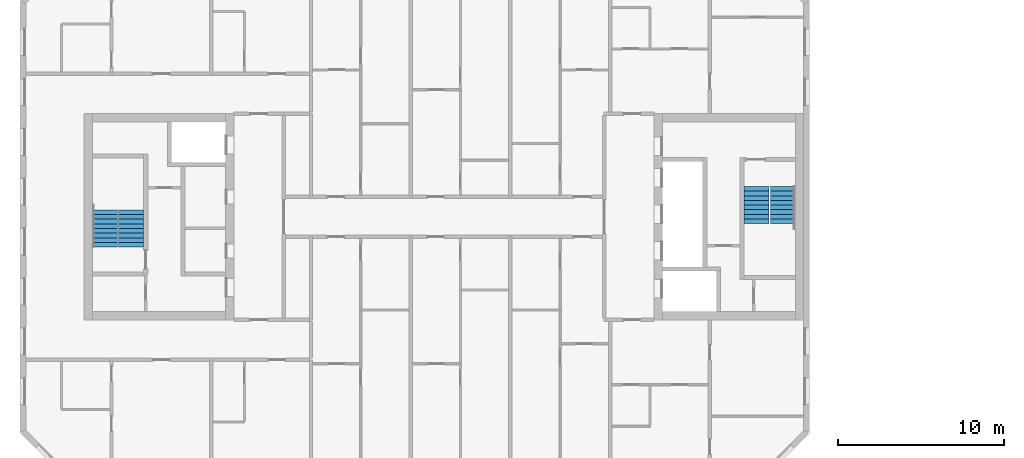
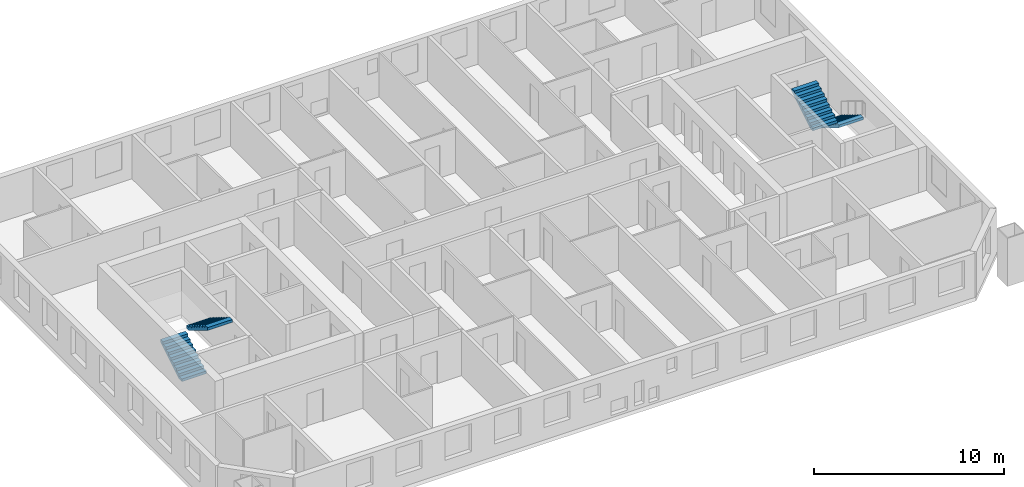
# One storey, part 14 of 15: 4 stair flights, 2 elements without a shape of their own.
"""IFC4 building model written with IfcOpenShell, lengths in metres."""

from ifc_helpers import new_model, si_unit, direction, frame, origin, place, context, subcontext, project, spatial, faceted_brep, material, type_object, element, aggregate, save


model = new_model("IFC4")

# Units and contexts
model_context = context("Model", 3, precision=1e-05, world=origin(), true_north=direction((0.0, 1.0)))
body_context = subcontext(model_context, "Body", "Model", "MODEL_VIEW")
ifc_project = project(units=[si_unit("LENGTHUNIT", "METRE"), si_unit("AREAUNIT", "SQUARE_METRE"), si_unit("VOLUMEUNIT", "CUBIC_METRE"), si_unit("PLANEANGLEUNIT", "RADIAN"), si_unit("MASSUNIT", "GRAM", prefix="KILO")], contexts=[model_context])

# Site, building, storey
site_placement = place(None, origin())
site = spatial("IfcSite", under=ifc_project, at=site_placement, CompositionType="ELEMENT")
building_placement = place(site_placement, origin())
building = spatial("IfcBuilding", under=site, at=building_placement, Name="Tuart Gate Housing", CompositionType="ELEMENT")
storey_placement = place(building_placement, frame((0.0, 0.0, 164.0)))
storey = spatial("IfcBuildingStorey", under=building, at=storey_placement, Name="L46", CompositionType="ELEMENT", Elevation=164.0)

# Stair, stair flights
ifc_material_1 = material(Name="Concrete C40", Category="concrete")
stair_type = type_object("IfcStairType", Name="Core stair 1500", PredefinedType="HALF_TURN_STAIR", material=ifc_material_1)
stair_1_placement = place(storey_placement, origin())
stair_1 = element("IfcStair", 1, at=stair_1_placement, inside=storey, type_object=stair_type, Name="Stair SA1", PredefinedType="HALF_TURN_STAIR")
ifc_material_2 = material(Name="Concrete C40", Category="concrete")
stair_flight_type = type_object("IfcStairFlightType", Name="Stair flight 1500, 9 risers 172 x 280", PredefinedType="STRAIGHT", material=ifc_material_2)
stair_flight_1_placement = place(storey_placement, frame((74.389892578125, 71.824951171875, 0.0), z_axis=(0.0, 0.0, 1.0), x_axis=(0.0, -1.0, 0.0)))
stair_flight_1 = element("IfcStairFlight", 2, at=stair_flight_1_placement, type_object=stair_flight_type, Name="SA1 flight 1", NumberOfRisers=9, NumberOfTreads=8, PredefinedType="STRAIGHT", RiserHeight=0.172222222, TreadLength=0.28, context=body_context, shape_type="Brep", body=[
    faceted_brep([(0.0, 0.75, 0.0), (0.0, 0.75, 0.172119140625), (0.280029296875, 0.75, 0.172119140625), (0.280029296875, 0.75, 0.344482421875), (0.56005859375, 0.75, 0.344482421875), (0.56005859375, 0.75, 0.5166015625), (0.840087890625, 0.75, 0.5166015625), (0.840087890625, 0.75, 0.68896484375), (1.1201171875, 0.75, 0.68896484375), (1.1201171875, 0.75, 0.861083984375), (1.39990234375, 0.75, 0.861083984375), (1.39990234375, 0.75, 1.033447265625), (1.679931640625, 0.75, 1.033447265625), (1.679931640625, 0.75, 1.20556640625), (1.9599609375, 0.75, 1.20556640625), (1.9599609375, 0.75, 1.377685546875), (2.239990234375, 0.75, 1.377685546875), (2.239990234375, 0.75, 1.201904296875), (0.2861328125, 0.75, 0.0), (0.2861328125, -0.75, 0.0), (2.239990234375, -0.75, 1.201904296875), (2.239990234375, -0.75, 1.377685546875), (1.9599609375, -0.75, 1.377685546875), (1.9599609375, -0.75, 1.20556640625), (1.679931640625, -0.75, 1.20556640625), (1.679931640625, -0.75, 1.033447265625), (1.39990234375, -0.75, 1.033447265625), (1.39990234375, -0.75, 0.861083984375), (1.1201171875, -0.75, 0.861083984375), (1.1201171875, -0.75, 0.68896484375), (0.840087890625, -0.75, 0.68896484375), (0.840087890625, -0.75, 0.5166015625), (0.56005859375, -0.75, 0.5166015625), (0.56005859375, -0.75, 0.344482421875), (0.280029296875, -0.75, 0.344482421875), (0.280029296875, -0.75, 0.172119140625), (0.0, -0.75, 0.172119140625), (0.0, -0.75, 0.0), (2.239990234375, 0.0, 1.201904296875), (0.2861328125, 0.0, 0.0), (2.239990234375, 0.0, 1.377685546875), (1.9599609375, 0.0, 1.377685546875), (1.9599609375, 0.0, 1.20556640625), (1.679931640625, 0.0, 1.20556640625), (1.679931640625, 0.0, 1.033447265625), (1.39990234375, 0.0, 1.033447265625), (1.39990234375, 0.0, 0.861083984375), (1.1201171875, 0.0, 0.861083984375), (1.1201171875, 0.0, 0.68896484375), (0.840087890625, 0.0, 0.68896484375), (0.840087890625, 0.0, 0.5166015625), (0.56005859375, 0.0, 0.5166015625), (0.56005859375, 0.0, 0.344482421875), (0.280029296875, 0.0, 0.344482421875), (0.280029296875, 0.0, 0.172119140625), (0.0, 0.0, 0.172119140625), (0.0, 0.0, 0.0)], [[[0, 1, 2, 3, 4, 5, 6, 7, 8, 9, 10, 11, 12, 13, 14, 15, 16, 17, 18]], [[19, 20, 21, 22, 23, 24, 25, 26, 27, 28, 29, 30, 31, 32, 33, 34, 35, 36, 37]], [[18, 17, 38, 39]], [[39, 38, 20, 19]], [[17, 16, 40, 38]], [[38, 40, 21, 20]], [[16, 15, 41, 40]], [[40, 41, 22, 21]], [[15, 14, 42, 41]], [[41, 42, 23, 22]], [[14, 13, 43, 42]], [[42, 43, 24, 23]], [[13, 12, 44, 43]], [[43, 44, 25, 24]], [[12, 11, 45, 44]], [[44, 45, 26, 25]], [[11, 10, 46, 45]], [[45, 46, 27, 26]], [[10, 9, 47, 46]], [[46, 47, 28, 27]], [[9, 8, 48, 47]], [[47, 48, 29, 28]], [[8, 7, 49, 48]], [[48, 49, 30, 29]], [[7, 6, 50, 49]], [[49, 50, 31, 30]], [[6, 5, 51, 50]], [[50, 51, 32, 31]], [[5, 4, 52, 51]], [[51, 52, 33, 32]], [[4, 3, 53, 52]], [[52, 53, 34, 33]], [[3, 2, 54, 53]], [[53, 54, 35, 34]], [[2, 1, 55, 54]], [[54, 55, 36, 35]], [[1, 0, 56, 55]], [[55, 56, 37, 36]], [[0, 18, 39, 56]], [[56, 39, 19, 37]]]),
])
stair_flight_2_placement = place(storey_placement, frame((72.81494140625, 69.5849609375, 1.550048828125), z_axis=(0.0, 0.0, 1.0), x_axis=(0.0, 1.0, 0.0)))
stair_flight_2 = element("IfcStairFlight", 3, at=stair_flight_2_placement, type_object=stair_flight_type, Name="SA1 flight 2", NumberOfRisers=9, NumberOfTreads=8, PredefinedType="STRAIGHT", RiserHeight=0.172222222, TreadLength=0.28, context=body_context, shape_type="Brep", body=[
    faceted_brep([(0.0, 0.75, 0.0), (0.0, 0.75, 0.172119140625), (0.280029296875, 0.75, 0.172119140625), (0.280029296875, 0.75, 0.344482421875), (0.56005859375, 0.75, 0.344482421875), (0.56005859375, 0.75, 0.5166015625), (0.840087890625, 0.75, 0.5166015625), (0.840087890625, 0.75, 0.68896484375), (1.1201171875, 0.75, 0.68896484375), (1.1201171875, 0.75, 0.861083984375), (1.39990234375, 0.75, 0.861083984375), (1.39990234375, 0.75, 1.033447265625), (1.679931640625, 0.75, 1.033447265625), (1.679931640625, 0.75, 1.20556640625), (1.9599609375, 0.75, 1.20556640625), (1.9599609375, 0.75, 1.377685546875), (2.239990234375, 0.75, 1.377685546875), (2.239990234375, 0.75, 1.201904296875), (0.2861328125, 0.75, 0.0), (0.2861328125, -0.75, 0.0), (2.239990234375, -0.75, 1.201904296875), (2.239990234375, -0.75, 1.377685546875), (1.9599609375, -0.75, 1.377685546875), (1.9599609375, -0.75, 1.20556640625), (1.679931640625, -0.75, 1.20556640625), (1.679931640625, -0.75, 1.033447265625), (1.39990234375, -0.75, 1.033447265625), (1.39990234375, -0.75, 0.861083984375), (1.1201171875, -0.75, 0.861083984375), (1.1201171875, -0.75, 0.68896484375), (0.840087890625, -0.75, 0.68896484375), (0.840087890625, -0.75, 0.5166015625), (0.56005859375, -0.75, 0.5166015625), (0.56005859375, -0.75, 0.344482421875), (0.280029296875, -0.75, 0.344482421875), (0.280029296875, -0.75, 0.172119140625), (0.0, -0.75, 0.172119140625), (0.0, -0.75, 0.0), (2.239990234375, 0.0, 1.201904296875), (0.2861328125, 0.0, 0.0), (2.239990234375, 0.0, 1.377685546875), (1.9599609375, 0.0, 1.377685546875), (1.9599609375, 0.0, 1.20556640625), (1.679931640625, 0.0, 1.20556640625), (1.679931640625, 0.0, 1.033447265625), (1.39990234375, 0.0, 1.033447265625), (1.39990234375, 0.0, 0.861083984375), (1.1201171875, 0.0, 0.861083984375), (1.1201171875, 0.0, 0.68896484375), (0.840087890625, 0.0, 0.68896484375), (0.840087890625, 0.0, 0.5166015625), (0.56005859375, 0.0, 0.5166015625), (0.56005859375, 0.0, 0.344482421875), (0.280029296875, 0.0, 0.344482421875), (0.280029296875, 0.0, 0.172119140625), (0.0, 0.0, 0.172119140625), (0.0, 0.0, 0.0)], [[[0, 1, 2, 3, 4, 5, 6, 7, 8, 9, 10, 11, 12, 13, 14, 15, 16, 17, 18]], [[19, 20, 21, 22, 23, 24, 25, 26, 27, 28, 29, 30, 31, 32, 33, 34, 35, 36, 37]], [[18, 17, 38, 39]], [[39, 38, 20, 19]], [[17, 16, 40, 38]], [[38, 40, 21, 20]], [[16, 15, 41, 40]], [[40, 41, 22, 21]], [[15, 14, 42, 41]], [[41, 42, 23, 22]], [[14, 13, 43, 42]], [[42, 43, 24, 23]], [[13, 12, 44, 43]], [[43, 44, 25, 24]], [[12, 11, 45, 44]], [[44, 45, 26, 25]], [[11, 10, 46, 45]], [[45, 46, 27, 26]], [[10, 9, 47, 46]], [[46, 47, 28, 27]], [[9, 8, 48, 47]], [[47, 48, 29, 28]], [[8, 7, 49, 48]], [[48, 49, 30, 29]], [[7, 6, 50, 49]], [[49, 50, 31, 30]], [[6, 5, 51, 50]], [[50, 51, 32, 31]], [[5, 4, 52, 51]], [[51, 52, 33, 32]], [[4, 3, 53, 52]], [[52, 53, 34, 33]], [[3, 2, 54, 53]], [[53, 54, 35, 34]], [[2, 1, 55, 54]], [[54, 55, 36, 35]], [[1, 0, 56, 55]], [[55, 56, 37, 36]], [[0, 18, 39, 56]], [[56, 39, 19, 37]]]),
])
aggregate(stair_1, [stair_flight_1, stair_flight_2])

stair_2_placement = place(storey_placement, origin())
stair_2 = element("IfcStair", 4, at=stair_2_placement, inside=storey, type_object=stair_type, Name="Stair SA2", PredefinedType="HALF_TURN_STAIR")
stair_flight_3_placement = place(storey_placement, frame((33.610107421875, 68.175048828125, 0.0), z_axis=(0.0, 0.0, 1.0), x_axis=(0.0, 1.0, 0.0)))
stair_flight_3 = element("IfcStairFlight", 5, at=stair_flight_3_placement, type_object=stair_flight_type, Name="SA2 flight 1", NumberOfRisers=9, NumberOfTreads=8, PredefinedType="STRAIGHT", RiserHeight=0.172222222, TreadLength=0.28, context=body_context, shape_type="Brep", body=[
    faceted_brep([(0.0, 0.75, 0.0), (0.0, 0.75, 0.172119140625), (0.280029296875, 0.75, 0.172119140625), (0.280029296875, 0.75, 0.344482421875), (0.56005859375, 0.75, 0.344482421875), (0.56005859375, 0.75, 0.5166015625), (0.840087890625, 0.75, 0.5166015625), (0.840087890625, 0.75, 0.68896484375), (1.1201171875, 0.75, 0.68896484375), (1.1201171875, 0.75, 0.861083984375), (1.39990234375, 0.75, 0.861083984375), (1.39990234375, 0.75, 1.033447265625), (1.679931640625, 0.75, 1.033447265625), (1.679931640625, 0.75, 1.20556640625), (1.9599609375, 0.75, 1.20556640625), (1.9599609375, 0.75, 1.377685546875), (2.239990234375, 0.75, 1.377685546875), (2.239990234375, 0.75, 1.201904296875), (0.2861328125, 0.75, 0.0), (0.2861328125, -0.75, 0.0), (2.239990234375, -0.75, 1.201904296875), (2.239990234375, -0.75, 1.377685546875), (1.9599609375, -0.75, 1.377685546875), (1.9599609375, -0.75, 1.20556640625), (1.679931640625, -0.75, 1.20556640625), (1.679931640625, -0.75, 1.033447265625), (1.39990234375, -0.75, 1.033447265625), (1.39990234375, -0.75, 0.861083984375), (1.1201171875, -0.75, 0.861083984375), (1.1201171875, -0.75, 0.68896484375), (0.840087890625, -0.75, 0.68896484375), (0.840087890625, -0.75, 0.5166015625), (0.56005859375, -0.75, 0.5166015625), (0.56005859375, -0.75, 0.344482421875), (0.280029296875, -0.75, 0.344482421875), (0.280029296875, -0.75, 0.172119140625), (0.0, -0.75, 0.172119140625), (0.0, -0.75, 0.0), (2.239990234375, 0.0, 1.201904296875), (0.2861328125, 0.0, 0.0), (2.239990234375, 0.0, 1.377685546875), (1.9599609375, 0.0, 1.377685546875), (1.9599609375, 0.0, 1.20556640625), (1.679931640625, 0.0, 1.20556640625), (1.679931640625, 0.0, 1.033447265625), (1.39990234375, 0.0, 1.033447265625), (1.39990234375, 0.0, 0.861083984375), (1.1201171875, 0.0, 0.861083984375), (1.1201171875, 0.0, 0.68896484375), (0.840087890625, 0.0, 0.68896484375), (0.840087890625, 0.0, 0.5166015625), (0.56005859375, 0.0, 0.5166015625), (0.56005859375, 0.0, 0.344482421875), (0.280029296875, 0.0, 0.344482421875), (0.280029296875, 0.0, 0.172119140625), (0.0, 0.0, 0.172119140625), (0.0, 0.0, 0.0)], [[[0, 1, 2, 3, 4, 5, 6, 7, 8, 9, 10, 11, 12, 13, 14, 15, 16, 17, 18]], [[19, 20, 21, 22, 23, 24, 25, 26, 27, 28, 29, 30, 31, 32, 33, 34, 35, 36, 37]], [[18, 17, 38, 39]], [[39, 38, 20, 19]], [[17, 16, 40, 38]], [[38, 40, 21, 20]], [[16, 15, 41, 40]], [[40, 41, 22, 21]], [[15, 14, 42, 41]], [[41, 42, 23, 22]], [[14, 13, 43, 42]], [[42, 43, 24, 23]], [[13, 12, 44, 43]], [[43, 44, 25, 24]], [[12, 11, 45, 44]], [[44, 45, 26, 25]], [[11, 10, 46, 45]], [[45, 46, 27, 26]], [[10, 9, 47, 46]], [[46, 47, 28, 27]], [[9, 8, 48, 47]], [[47, 48, 29, 28]], [[8, 7, 49, 48]], [[48, 49, 30, 29]], [[7, 6, 50, 49]], [[49, 50, 31, 30]], [[6, 5, 51, 50]], [[50, 51, 32, 31]], [[5, 4, 52, 51]], [[51, 52, 33, 32]], [[4, 3, 53, 52]], [[52, 53, 34, 33]], [[3, 2, 54, 53]], [[53, 54, 35, 34]], [[2, 1, 55, 54]], [[54, 55, 36, 35]], [[1, 0, 56, 55]], [[55, 56, 37, 36]], [[0, 18, 39, 56]], [[56, 39, 19, 37]]]),
])
stair_flight_4_placement = place(storey_placement, frame((35.18505859375, 70.4150390625, 1.550048828125), z_axis=(0.0, 0.0, 1.0), x_axis=(0.0, -1.0, 0.0)))
stair_flight_4 = element("IfcStairFlight", 6, at=stair_flight_4_placement, type_object=stair_flight_type, Name="SA2 flight 2", NumberOfRisers=9, NumberOfTreads=8, PredefinedType="STRAIGHT", RiserHeight=0.172222222, TreadLength=0.28, context=body_context, shape_type="Brep", body=[
    faceted_brep([(0.0, 0.75, 0.0), (0.0, 0.75, 0.172119140625), (0.280029296875, 0.75, 0.172119140625), (0.280029296875, 0.75, 0.344482421875), (0.56005859375, 0.75, 0.344482421875), (0.56005859375, 0.75, 0.5166015625), (0.840087890625, 0.75, 0.5166015625), (0.840087890625, 0.75, 0.68896484375), (1.1201171875, 0.75, 0.68896484375), (1.1201171875, 0.75, 0.861083984375), (1.39990234375, 0.75, 0.861083984375), (1.39990234375, 0.75, 1.033447265625), (1.679931640625, 0.75, 1.033447265625), (1.679931640625, 0.75, 1.20556640625), (1.9599609375, 0.75, 1.20556640625), (1.9599609375, 0.75, 1.377685546875), (2.239990234375, 0.75, 1.377685546875), (2.239990234375, 0.75, 1.201904296875), (0.2861328125, 0.75, 0.0), (0.2861328125, -0.75, 0.0), (2.239990234375, -0.75, 1.201904296875), (2.239990234375, -0.75, 1.377685546875), (1.9599609375, -0.75, 1.377685546875), (1.9599609375, -0.75, 1.20556640625), (1.679931640625, -0.75, 1.20556640625), (1.679931640625, -0.75, 1.033447265625), (1.39990234375, -0.75, 1.033447265625), (1.39990234375, -0.75, 0.861083984375), (1.1201171875, -0.75, 0.861083984375), (1.1201171875, -0.75, 0.68896484375), (0.840087890625, -0.75, 0.68896484375), (0.840087890625, -0.75, 0.5166015625), (0.56005859375, -0.75, 0.5166015625), (0.56005859375, -0.75, 0.344482421875), (0.280029296875, -0.75, 0.344482421875), (0.280029296875, -0.75, 0.172119140625), (0.0, -0.75, 0.172119140625), (0.0, -0.75, 0.0), (2.239990234375, 0.0, 1.201904296875), (0.2861328125, 0.0, 0.0), (2.239990234375, 0.0, 1.377685546875), (1.9599609375, 0.0, 1.377685546875), (1.9599609375, 0.0, 1.20556640625), (1.679931640625, 0.0, 1.20556640625), (1.679931640625, 0.0, 1.033447265625), (1.39990234375, 0.0, 1.033447265625), (1.39990234375, 0.0, 0.861083984375), (1.1201171875, 0.0, 0.861083984375), (1.1201171875, 0.0, 0.68896484375), (0.840087890625, 0.0, 0.68896484375), (0.840087890625, 0.0, 0.5166015625), (0.56005859375, 0.0, 0.5166015625), (0.56005859375, 0.0, 0.344482421875), (0.280029296875, 0.0, 0.344482421875), (0.280029296875, 0.0, 0.172119140625), (0.0, 0.0, 0.172119140625), (0.0, 0.0, 0.0)], [[[0, 1, 2, 3, 4, 5, 6, 7, 8, 9, 10, 11, 12, 13, 14, 15, 16, 17, 18]], [[19, 20, 21, 22, 23, 24, 25, 26, 27, 28, 29, 30, 31, 32, 33, 34, 35, 36, 37]], [[18, 17, 38, 39]], [[39, 38, 20, 19]], [[17, 16, 40, 38]], [[38, 40, 21, 20]], [[16, 15, 41, 40]], [[40, 41, 22, 21]], [[15, 14, 42, 41]], [[41, 42, 23, 22]], [[14, 13, 43, 42]], [[42, 43, 24, 23]], [[13, 12, 44, 43]], [[43, 44, 25, 24]], [[12, 11, 45, 44]], [[44, 45, 26, 25]], [[11, 10, 46, 45]], [[45, 46, 27, 26]], [[10, 9, 47, 46]], [[46, 47, 28, 27]], [[9, 8, 48, 47]], [[47, 48, 29, 28]], [[8, 7, 49, 48]], [[48, 49, 30, 29]], [[7, 6, 50, 49]], [[49, 50, 31, 30]], [[6, 5, 51, 50]], [[50, 51, 32, 31]], [[5, 4, 52, 51]], [[51, 52, 33, 32]], [[4, 3, 53, 52]], [[52, 53, 34, 33]], [[3, 2, 54, 53]], [[53, 54, 35, 34]], [[2, 1, 55, 54]], [[54, 55, 36, 35]], [[1, 0, 56, 55]], [[55, 56, 37, 36]], [[0, 18, 39, 56]], [[56, 39, 19, 37]]]),
])
aggregate(stair_2, [stair_flight_3, stair_flight_4])

save(model, "model.ifc")
